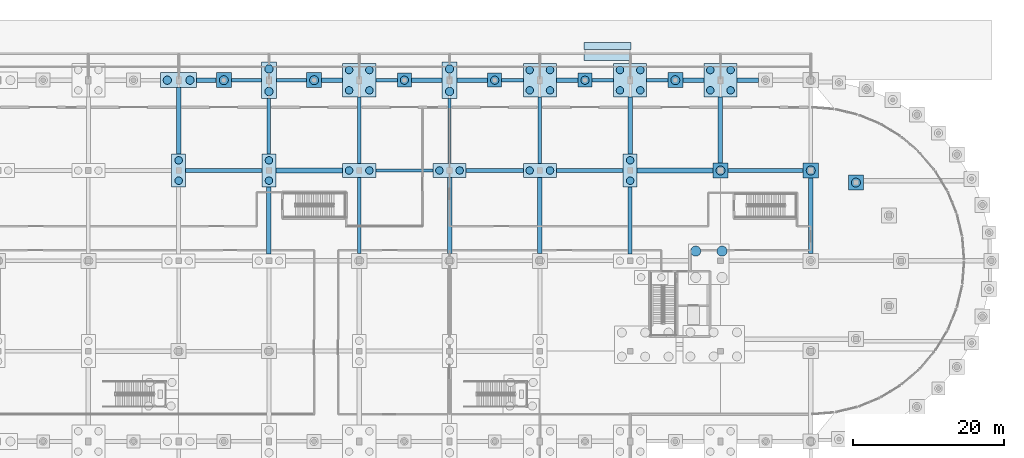
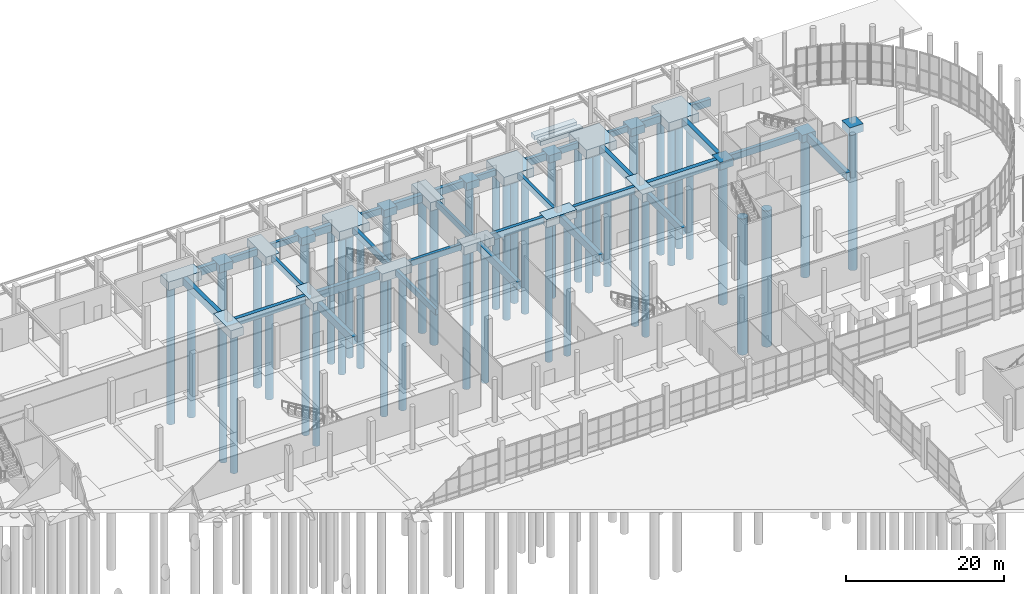
# One storey, part 13 of 117: 57 footings, 45 piles.
"""IFC4 building model written with IfcOpenShell, lengths in metres."""

from ifc_helpers import new_model, si_unit, direction, frame, origin, origin_2d, place, context, subcontext, project, spatial, rectangle, circle, extrude, material, material_profile, profile_set, type_object, element, save


model = new_model("IFC4")

# Units and contexts
model_context = context("Model", 3, precision=1e-05, world=origin(), true_north=direction((0.0, 1.0)))
body_context = subcontext(model_context, "Body", "Model", "MODEL_VIEW")
ifc_project = project(units=[si_unit("LENGTHUNIT", "METRE"), si_unit("AREAUNIT", "SQUARE_METRE"), si_unit("VOLUMEUNIT", "CUBIC_METRE"), si_unit("PLANEANGLEUNIT", "RADIAN"), si_unit("MASSUNIT", "GRAM", prefix="KILO")], contexts=[model_context])

# Site, building, storey
site_placement = place(None, origin())
site = spatial("IfcSite", under=ifc_project, at=site_placement, CompositionType="ELEMENT")
building_placement = place(site_placement, origin())
building = spatial("IfcBuilding", under=site, at=building_placement, Name="Kamomehara Wholesale Market", CompositionType="ELEMENT")
storey_placement = place(building_placement, origin())
storey = spatial("IfcBuildingStorey", under=building, at=storey_placement, Name="L00", CompositionType="ELEMENT", Elevation=0.0)

# Footings
ifc_material_1 = material(Name="Concrete Fc30 (C30/37)", Category="concrete")
footing_type_1 = type_object("IfcFootingType", Name="CAP-1P-1850", PredefinedType="PILE_CAP", material=ifc_material_1)
for number, where, z_axis, x_axis, name in (
    (1, (126.0, 156.0, -1.14990234375), (0.0, 0.0, 1.0), (1.0, 0.0, 0.0), "Pile cap PC-02"),
    (2, (138.0, 156.0, -1.14990234375), (0.0, 0.0, 1.0), (1.0, 0.0, 0.0), "Pile cap PC-02"),
    (3, (150.0, 156.0, -1.14990234375), (0.0, 0.0, 1.0), (1.0, 0.0, 0.0), "Pile cap PC-02"),
):
    element("IfcFooting", number, at=place(storey_placement, frame(where, z_axis=z_axis, x_axis=x_axis)), inside=storey, type_object=footing_type_1, Name=name, PredefinedType="PILE_CAP", context=body_context, shape_type="SweptSolid", body=[
        extrude(rectangle(XDim=1.85009765625, YDim=1.85009765625, at=origin_2d()), origin(), (0.0, 0.0, 1.0), 1.14990234375),
    ])
ifc_material_2 = material(Name="Concrete Fc30 (C30/37)", Category="concrete")
footing_type_2 = type_object("IfcFootingType", Name="CAP-1P-2000", PredefinedType="PILE_CAP", material=ifc_material_2)
for number, where, z_axis, x_axis, name in (
    (4, (102.0, 156.0, -1.2001953125), (0.0, 0.0, 1.0), (1.0, 0.0, 0.0), "Pile cap PC-03"),
    (5, (114.0, 156.0, -1.2001953125), (0.0, 0.0, 1.0), (1.0, 0.0, 0.0), "Pile cap PC-03"),
    (6, (162.0, 156.0, -1.2001953125), (0.0, 0.0, 1.0), (1.0, 0.0, 0.0), "Pile cap PC-03"),
    (7, (168.0, 144.0, -1.2001953125), (0.0, 0.0, 1.0), (1.0, 0.0, 0.0), "Pile cap PC-03"),
    (8, (180.0, 144.0, -1.2001953125), (0.0, 0.0, 1.0), (1.0, 0.0, 0.0), "Pile cap PC-03"),
    (9, (186.0, 142.39208984375, -1.2001953125), (0.0, 0.0, 1.0), (1.0, 0.0, 0.0), "Pile cap PC-03"),
):
    element("IfcFooting", number, at=place(storey_placement, frame(where, z_axis=z_axis, x_axis=x_axis)), inside=storey, type_object=footing_type_2, Name=name, PredefinedType="PILE_CAP", context=body_context, shape_type="SweptSolid", body=[
        extrude(rectangle(XDim=2.0, YDim=2.0, at=origin_2d()), origin(), (0.0, 0.0, 1.0), 1.199951171875),
    ])
ifc_material_3 = material(Name="Concrete Fc30 (C30/37)", Category="concrete")
footing_type_3 = type_object("IfcFootingType", Name="CAP-2PX-4400", PredefinedType="PILE_CAP", material=ifc_material_3)
for number, where, z_axis, x_axis, name in (
    (10, (120.0, 144.0, -1.25), (0.0, 0.0, 1.0), (1.0, 0.0, 0.0), "Pile cap PC-04"),
    (11, (132.0, 144.0, -1.25), (0.0, 0.0, 1.0), (1.0, 0.0, 0.0), "Pile cap PC-04"),
    (12, (144.0, 144.0, -1.25), (0.0, 0.0, 1.0), (1.0, 0.0, 0.0), "Pile cap PC-04"),
):
    element("IfcFooting", number, at=place(storey_placement, frame(where, z_axis=z_axis, x_axis=x_axis)), inside=storey, type_object=footing_type_3, Name=name, PredefinedType="PILE_CAP", context=body_context, shape_type="SweptSolid", body=[
        extrude(rectangle(XDim=4.39990234375, YDim=1.85009765625, at=origin_2d()), origin(), (0.0, 0.0, 1.0), 1.25),
    ])
ifc_material_4 = material(Name="Concrete Fc30 (C30/37)", Category="concrete")
footing_type_4 = type_object("IfcFootingType", Name="CAP-2PX-4800", PredefinedType="PILE_CAP", material=ifc_material_4)
footing_1_placement = place(storey_placement, frame((96.0, 156.0, -1.2998046875), z_axis=(0.0, 0.0, 1.0), x_axis=(1.0, 0.0, 0.0)))
element("IfcFooting", 13, at=footing_1_placement, inside=storey, type_object=footing_type_4, Name="Pile cap PC-06", PredefinedType="PILE_CAP", context=body_context, shape_type="SweptSolid", body=[
    extrude(rectangle(XDim=4.800048828125, YDim=2.0, at=origin_2d()), origin(), (0.0, 0.0, 1.0), 1.300048828125),
])
ifc_material_5 = material(Name="Concrete Fc30 (C30/37)", Category="concrete")
footing_type_5 = type_object("IfcFootingType", Name="CAP-2PY-4400", PredefinedType="PILE_CAP", material=ifc_material_5)
for number, where, z_axis, x_axis, name in (
    (14, (96.0, 144.0, -1.25), (0.0, 0.0, 1.0), (1.0, 0.0, 0.0), "Pile cap PC-05"),
    (15, (108.0, 144.0, -1.25), (0.0, 0.0, 1.0), (1.0, 0.0, 0.0), "Pile cap PC-05"),
    (16, (156.0, 144.0, -1.25), (0.0, 0.0, 1.0), (1.0, 0.0, 0.0), "Pile cap PC-05"),
):
    element("IfcFooting", number, at=place(storey_placement, frame(where, z_axis=z_axis, x_axis=x_axis)), inside=storey, type_object=footing_type_5, Name=name, PredefinedType="PILE_CAP", context=body_context, shape_type="SweptSolid", body=[
        extrude(rectangle(XDim=1.85009765625, YDim=4.39990234375, at=origin_2d()), origin(), (0.0, 0.0, 1.0), 1.25),
    ])
ifc_material_6 = material(Name="Concrete Fc30 (C30/37)", Category="concrete")
footing_type_6 = type_object("IfcFootingType", Name="CAP-2PY-4800", PredefinedType="PILE_CAP", material=ifc_material_6)
for number, where, z_axis, x_axis, name in (
    (17, (108.0, 156.0, -1.2998046875), (0.0, 0.0, 1.0), (1.0, 0.0, 0.0), "Pile cap PC-07"),
    (18, (132.0, 156.0, -1.2998046875), (0.0, 0.0, 1.0), (1.0, 0.0, 0.0), "Pile cap PC-07"),
):
    element("IfcFooting", number, at=place(storey_placement, frame(where, z_axis=z_axis, x_axis=x_axis)), inside=storey, type_object=footing_type_6, Name=name, PredefinedType="PILE_CAP", context=body_context, shape_type="SweptSolid", body=[
        extrude(rectangle(XDim=2.0, YDim=4.800048828125, at=origin_2d()), origin(), (0.0, 0.0, 1.0), 1.300048828125),
    ])
ifc_material_7 = material(Name="Concrete Fc30 (C30/37)", Category="concrete")
footing_type_7 = type_object("IfcFootingType", Name="CAP-4P-4400", PredefinedType="PILE_CAP", material=ifc_material_7)
for number, where, z_axis, x_axis, name in (
    (19, (120.0, 156.0, -1.39990234375), (0.0, 0.0, 1.0), (1.0, 0.0, 0.0), "Pile cap PC-10"),
    (20, (144.0, 156.0, -1.39990234375), (0.0, 0.0, 1.0), (1.0, 0.0, 0.0), "Pile cap PC-10"),
    (21, (156.0, 156.0, -1.39990234375), (0.0, 0.0, 1.0), (1.0, 0.0, 0.0), "Pile cap PC-10"),
    (22, (168.0, 156.0, -1.39990234375), (0.0, 0.0, 1.0), (1.0, 0.0, 0.0), "Pile cap PC-10"),
):
    element("IfcFooting", number, at=place(storey_placement, frame(where, z_axis=z_axis, x_axis=x_axis)), inside=storey, type_object=footing_type_7, Name=name, PredefinedType="PILE_CAP", context=body_context, shape_type="SweptSolid", body=[
        extrude(rectangle(XDim=4.39990234375, YDim=4.39990234375, at=origin_2d()), origin(), (0.0, 0.0, 1.0), 1.39990234375),
    ])
ifc_material_8 = material(Name="Concrete Fc30 (C30/37)", Category="concrete")
ifc_material_profile_1 = material_profile(ifc_material_8, rectangle(XDim=0.449951171875, YDim=0.89990234375, at=origin_2d()), Name="RC-FTB-450x900")
ifc_profile_set_1 = profile_set([ifc_material_profile_1], Name="Concrete Fc30 (C30/37)")
footing_type_8 = type_object("IfcFootingType", Name="FTB-450x900", PredefinedType="FOOTING_BEAM", material=ifc_profile_set_1)
footing_2_placement = place(storey_placement, frame((109.001953125, 156.0, -0.449951171875), z_axis=(1.0, 0.0, 0.0), x_axis=(0.0, 1.0, 0.0)))
element("IfcFooting", 23, at=footing_2_placement, inside=storey, type_object=footing_type_8, Name="Foundation tie beam 115", PredefinedType="FOOTING_BEAM", context=body_context, shape_type="SweptSolid", body=[
    extrude(rectangle(XDim=0.449951171875, YDim=0.89990234375, at=origin_2d()), origin(), (0.0, 0.0, 1.0), 3.99609375),
])
footing_3_placement = place(storey_placement, frame((122.201904296875, 144.0, -0.449951171875), z_axis=(1.0, 0.0, 0.0), x_axis=(0.0, 1.0, 0.0)))
element("IfcFooting", 24, at=footing_3_placement, inside=storey, type_object=footing_type_8, Name="Foundation tie beam 127", PredefinedType="FOOTING_BEAM", context=body_context, shape_type="SweptSolid", body=[
    extrude(rectangle(XDim=0.449951171875, YDim=0.89990234375, at=origin_2d()), origin(), (0.0, 0.0, 1.0), 7.59619140625),
])
for number, where, z_axis, x_axis, name in (
    (25, (138.927001953125, 156.0, -0.449951171875), (1.0, 0.0, 0.0), (0.0, 1.0, 0.0), "Foundation tie beam 143"),
    (26, (150.927001953125, 156.0, -0.449951171875), (1.0, 0.0, 0.0), (0.0, 1.0, 0.0), "Foundation tie beam 155"),
):
    element("IfcFooting", number, at=place(storey_placement, frame(where, z_axis=z_axis, x_axis=x_axis)), inside=storey, type_object=footing_type_8, Name=name, PredefinedType="FOOTING_BEAM", context=body_context, shape_type="SweptSolid", body=[
        extrude(rectangle(XDim=0.449951171875, YDim=0.89990234375, at=origin_2d()), origin(), (0.0, 0.0, 1.0), 2.87109375),
    ])
footing_4_placement = place(storey_placement, frame((158.201904296875, 156.0, -0.449951171875), z_axis=(1.0, 0.0, 0.0), x_axis=(0.0, 1.0, 0.0)))
element("IfcFooting", 27, at=footing_4_placement, inside=storey, type_object=footing_type_8, Name="Foundation tie beam 167", PredefinedType="FOOTING_BEAM", context=body_context, shape_type="SweptSolid", body=[
    extrude(rectangle(XDim=0.449951171875, YDim=0.89990234375, at=origin_2d()), origin(), (0.0, 0.0, 1.0), 2.796142578125),
])
footing_5_placement = place(storey_placement, frame((108.0, 146.201904296875, -0.449951171875), z_axis=(0.0, 1.0, 0.0), x_axis=(-1.0, 0.0, 0.0)))
element("IfcFooting", 28, at=footing_5_placement, inside=storey, type_object=footing_type_8, Name="Foundation tie beam 291", PredefinedType="FOOTING_BEAM", context=body_context, shape_type="SweptSolid", body=[
    extrude(rectangle(XDim=0.449951171875, YDim=0.89990234375, at=origin_2d()), origin(), (0.0, 0.0, 1.0), 7.39599609375),
])
footing_6_placement = place(storey_placement, frame((120.0, 133.001953125, -0.449951171875), z_axis=(0.0, 1.0, 0.0), x_axis=(-1.0, 0.0, 0.0)))
element("IfcFooting", 29, at=footing_6_placement, inside=storey, type_object=footing_type_8, Name="Foundation tie beam 299", PredefinedType="FOOTING_BEAM", context=body_context, shape_type="SweptSolid", body=[
    extrude(rectangle(XDim=0.449951171875, YDim=0.89990234375, at=origin_2d()), origin(), (0.0, 0.0, 1.0), 10.071044921875),
])
footing_7_placement = place(storey_placement, frame((132.0, 144.927001953125, -0.449951171875), z_axis=(0.0, 1.0, 0.0), x_axis=(-1.0, 0.0, 0.0)))
element("IfcFooting", 30, at=footing_7_placement, inside=storey, type_object=footing_type_8, Name="Foundation tie beam 307", PredefinedType="FOOTING_BEAM", context=body_context, shape_type="SweptSolid", body=[
    extrude(rectangle(XDim=0.449951171875, YDim=0.89990234375, at=origin_2d()), origin(), (0.0, 0.0, 1.0), 8.6708984375),
])
footing_8_placement = place(storey_placement, frame((144.0, 144.927001953125, -0.449951171875), z_axis=(0.0, 1.0, 0.0), x_axis=(-1.0, 0.0, 0.0)))
element("IfcFooting", 31, at=footing_8_placement, inside=storey, type_object=footing_type_8, Name="Foundation tie beam 315", PredefinedType="FOOTING_BEAM", context=body_context, shape_type="SweptSolid", body=[
    extrude(rectangle(XDim=0.449951171875, YDim=0.89990234375, at=origin_2d()), origin(), (0.0, 0.0, 1.0), 8.87109375),
])
ifc_material_9 = material(Name="Concrete Fc30 (C30/37)", Category="concrete")
ifc_material_profile_2 = material_profile(ifc_material_9, rectangle(XDim=0.5, YDim=1.0, at=origin_2d()), Name="RC-FTB-500x1000")
ifc_profile_set_2 = profile_set([ifc_material_profile_2], Name="Concrete Fc30 (C30/37)")
footing_type_9 = type_object("IfcFootingType", Name="FTB-500x1000", PredefinedType="FOOTING_BEAM", material=ifc_profile_set_2)
footing_9_placement = place(storey_placement, frame((103.001953125, 156.0, -0.5), z_axis=(1.0, 0.0, 0.0), x_axis=(0.0, 1.0, 0.0)))
element("IfcFooting", 32, at=footing_9_placement, inside=storey, type_object=footing_type_9, Name="Foundation tie beam 104", PredefinedType="FOOTING_BEAM", context=body_context, shape_type="SweptSolid", body=[
    extrude(rectangle(XDim=0.5, YDim=1.0, at=origin_2d()), origin(), (0.0, 0.0, 1.0), 3.99609375),
])
footing_10_placement = place(storey_placement, frame((122.201904296875, 156.0, -0.5), z_axis=(1.0, 0.0, 0.0), x_axis=(0.0, 1.0, 0.0)))
element("IfcFooting", 33, at=footing_10_placement, inside=storey, type_object=footing_type_9, Name="Foundation tie beam 128", PredefinedType="FOOTING_BEAM", context=body_context, shape_type="SweptSolid", body=[
    extrude(rectangle(XDim=0.5, YDim=1.0, at=origin_2d()), origin(), (0.0, 0.0, 1.0), 2.87109375),
])
footing_11_placement = place(storey_placement, frame((134.201904296875, 144.0, -0.5), z_axis=(1.0, 0.0, 0.0), x_axis=(0.0, 1.0, 0.0)))
element("IfcFooting", 34, at=footing_11_placement, inside=storey, type_object=footing_type_9, Name="Foundation tie beam 140", PredefinedType="FOOTING_BEAM", context=body_context, shape_type="SweptSolid", body=[
    extrude(rectangle(XDim=0.5, YDim=1.0, at=origin_2d()), origin(), (0.0, 0.0, 1.0), 7.59619140625),
])
footing_12_placement = place(storey_placement, frame((146.201904296875, 144.0, -0.5), z_axis=(1.0, 0.0, 0.0), x_axis=(0.0, 1.0, 0.0)))
element("IfcFooting", 35, at=footing_12_placement, inside=storey, type_object=footing_type_9, Name="Foundation tie beam 152", PredefinedType="FOOTING_BEAM", context=body_context, shape_type="SweptSolid", body=[
    extrude(rectangle(XDim=0.5, YDim=1.0, at=origin_2d()), origin(), (0.0, 0.0, 1.0), 8.87109375),
])
footing_13_placement = place(storey_placement, frame((169.001953125, 144.0, -0.5), z_axis=(1.0, 0.0, 0.0), x_axis=(0.0, 1.0, 0.0)))
element("IfcFooting", 36, at=footing_13_placement, inside=storey, type_object=footing_type_9, Name="Foundation tie beam 180", PredefinedType="FOOTING_BEAM", context=body_context, shape_type="SweptSolid", body=[
    extrude(rectangle(XDim=0.5, YDim=1.0, at=origin_2d()), origin(), (0.0, 0.0, 1.0), 9.99609375),
])
footing_14_placement = place(storey_placement, frame((120.0, 144.927001953125, -0.5), z_axis=(0.0, 1.0, 0.0), x_axis=(-1.0, 0.0, 0.0)))
element("IfcFooting", 37, at=footing_14_placement, inside=storey, type_object=footing_type_9, Name="Foundation tie beam 300", PredefinedType="FOOTING_BEAM", context=body_context, shape_type="SweptSolid", body=[
    extrude(rectangle(XDim=0.5, YDim=1.0, at=origin_2d()), origin(), (0.0, 0.0, 1.0), 8.87109375),
])
ifc_material_10 = material(Name="Concrete Fc30 (C30/37)", Category="concrete")
ifc_material_profile_3 = material_profile(ifc_material_10, rectangle(XDim=0.550048828125, YDim=1.10009765625, at=origin_2d()), Name="RC-FTB-550x1100")
ifc_profile_set_3 = profile_set([ifc_material_profile_3], Name="Concrete Fc30 (C30/37)")
footing_type_10 = type_object("IfcFootingType", Name="FTB-550x1100", PredefinedType="FOOTING_BEAM", material=ifc_profile_set_3)
footing_15_placement = place(storey_placement, frame((96.927001953125, 144.0, -0.550048828125), z_axis=(1.0, 0.0, 0.0), x_axis=(0.0, 1.0, 0.0)))
element("IfcFooting", 38, at=footing_15_placement, inside=storey, type_object=footing_type_10, Name="Foundation tie beam 101", PredefinedType="FOOTING_BEAM", context=body_context, shape_type="SweptSolid", body=[
    extrude(rectangle(XDim=0.550048828125, YDim=1.10009765625, at=origin_2d()), origin(), (0.0, 0.0, 1.0), 10.14599609375),
])
footing_16_placement = place(storey_placement, frame((115.001953125, 156.0, -0.550048828125), z_axis=(1.0, 0.0, 0.0), x_axis=(0.0, 1.0, 0.0)))
element("IfcFooting", 39, at=footing_16_placement, inside=storey, type_object=footing_type_10, Name="Foundation tie beam 117", PredefinedType="FOOTING_BEAM", context=body_context, shape_type="SweptSolid", body=[
    extrude(rectangle(XDim=0.550048828125, YDim=1.10009765625, at=origin_2d()), origin(), (0.0, 0.0, 1.0), 2.796142578125),
])
footing_17_placement = place(storey_placement, frame((133.001953125, 156.0, -0.550048828125), z_axis=(1.0, 0.0, 0.0), x_axis=(0.0, 1.0, 0.0)))
element("IfcFooting", 40, at=footing_17_placement, inside=storey, type_object=footing_type_10, Name="Foundation tie beam 141", PredefinedType="FOOTING_BEAM", context=body_context, shape_type="SweptSolid", body=[
    extrude(rectangle(XDim=0.550048828125, YDim=1.10009765625, at=origin_2d()), origin(), (0.0, 0.0, 1.0), 4.071044921875),
])
footing_18_placement = place(storey_placement, frame((146.201904296875, 156.0, -0.550048828125), z_axis=(1.0, 0.0, 0.0), x_axis=(0.0, 1.0, 0.0)))
element("IfcFooting", 41, at=footing_18_placement, inside=storey, type_object=footing_type_10, Name="Foundation tie beam 153", PredefinedType="FOOTING_BEAM", context=body_context, shape_type="SweptSolid", body=[
    extrude(rectangle(XDim=0.550048828125, YDim=1.10009765625, at=origin_2d()), origin(), (0.0, 0.0, 1.0), 2.87109375),
])
footing_19_placement = place(storey_placement, frame((163.001953125, 156.0, -0.550048828125), z_axis=(1.0, 0.0, 0.0), x_axis=(0.0, 1.0, 0.0)))
element("IfcFooting", 42, at=footing_19_placement, inside=storey, type_object=footing_type_10, Name="Foundation tie beam 169", PredefinedType="FOOTING_BEAM", context=body_context, shape_type="SweptSolid", body=[
    extrude(rectangle(XDim=0.550048828125, YDim=1.10009765625, at=origin_2d()), origin(), (0.0, 0.0, 1.0), 2.796142578125),
])
footing_20_placement = place(storey_placement, frame((170.201904296875, 156.0, -0.550048828125), z_axis=(1.0, 0.0, 0.0), x_axis=(0.0, 1.0, 0.0)))
element("IfcFooting", 43, at=footing_20_placement, inside=storey, type_object=footing_type_10, Name="Foundation tie beam 181", PredefinedType="FOOTING_BEAM", context=body_context, shape_type="SweptSolid", body=[
    extrude(rectangle(XDim=0.550048828125, YDim=1.10009765625, at=origin_2d()), origin(), (0.0, 0.0, 1.0), 2.87109375),
])
footing_21_placement = place(storey_placement, frame((156.0, 132.927001953125, -0.550048828125), z_axis=(0.0, 1.0, 0.0), x_axis=(-1.0, 0.0, 0.0)))
element("IfcFooting", 44, at=footing_21_placement, inside=storey, type_object=footing_type_10, Name="Foundation tie beam 325", PredefinedType="FOOTING_BEAM", context=body_context, shape_type="SweptSolid", body=[
    extrude(rectangle(XDim=0.550048828125, YDim=1.10009765625, at=origin_2d()), origin(), (0.0, 0.0, 1.0), 8.87109375),
])
ifc_material_11 = material(Name="Concrete Fc30 (C30/37)", Category="concrete")
ifc_material_profile_4 = material_profile(ifc_material_11, rectangle(XDim=0.60009765625, YDim=1.199951171875, at=origin_2d()), Name="RC-FTB-600x1200")
ifc_profile_set_4 = profile_set([ifc_material_profile_4], Name="Concrete Fc30 (C30/37)")
footing_type_11 = type_object("IfcFootingType", Name="FTB-600x1200", PredefinedType="FOOTING_BEAM", material=ifc_profile_set_4)
footing_22_placement = place(storey_placement, frame((98.402099609375, 156.0, -0.60009765625), z_axis=(1.0, 0.0, 0.0), x_axis=(0.0, 1.0, 0.0)))
element("IfcFooting", 45, at=footing_22_placement, inside=storey, type_object=footing_type_11, Name="Foundation tie beam 102", PredefinedType="FOOTING_BEAM", context=body_context, shape_type="SweptSolid", body=[
    extrude(rectangle(XDim=0.60009765625, YDim=1.199951171875, at=origin_2d()), origin(), (0.0, 0.0, 1.0), 2.595947265625),
])
footing_23_placement = place(storey_placement, frame((108.927001953125, 144.0, -0.60009765625), z_axis=(1.0, 0.0, 0.0), x_axis=(0.0, 1.0, 0.0)))
element("IfcFooting", 46, at=footing_23_placement, inside=storey, type_object=footing_type_11, Name="Foundation tie beam 114", PredefinedType="FOOTING_BEAM", context=body_context, shape_type="SweptSolid", body=[
    extrude(rectangle(XDim=0.60009765625, YDim=1.199951171875, at=origin_2d()), origin(), (0.0, 0.0, 1.0), 8.87109375),
])
footing_24_placement = place(storey_placement, frame((126.927001953125, 156.0, -0.60009765625), z_axis=(1.0, 0.0, 0.0), x_axis=(0.0, 1.0, 0.0)))
element("IfcFooting", 47, at=footing_24_placement, inside=storey, type_object=footing_type_11, Name="Foundation tie beam 130", PredefinedType="FOOTING_BEAM", context=body_context, shape_type="SweptSolid", body=[
    extrude(rectangle(XDim=0.60009765625, YDim=1.199951171875, at=origin_2d()), origin(), (0.0, 0.0, 1.0), 4.071044921875),
])
footing_25_placement = place(storey_placement, frame((156.927001953125, 144.0, -0.60009765625), z_axis=(1.0, 0.0, 0.0), x_axis=(0.0, 1.0, 0.0)))
element("IfcFooting", 48, at=footing_25_placement, inside=storey, type_object=footing_type_11, Name="Foundation tie beam 166", PredefinedType="FOOTING_BEAM", context=body_context, shape_type="SweptSolid", body=[
    extrude(rectangle(XDim=0.60009765625, YDim=1.199951171875, at=origin_2d()), origin(), (0.0, 0.0, 1.0), 10.071044921875),
])
footing_26_placement = place(storey_placement, frame((96.0, 146.201904296875, -0.60009765625), z_axis=(0.0, 1.0, 0.0), x_axis=(-1.0, 0.0, 0.0)))
element("IfcFooting", 49, at=footing_26_placement, inside=storey, type_object=footing_type_11, Name="Foundation tie beam 282", PredefinedType="FOOTING_BEAM", context=body_context, shape_type="SweptSolid", body=[
    extrude(rectangle(XDim=0.60009765625, YDim=1.199951171875, at=origin_2d()), origin(), (0.0, 0.0, 1.0), 8.796142578125),
])
footing_27_placement = place(storey_placement, frame((108.0, 132.927001953125, -0.60009765625), z_axis=(0.0, 1.0, 0.0), x_axis=(-1.0, 0.0, 0.0)))
element("IfcFooting", 50, at=footing_27_placement, inside=storey, type_object=footing_type_11, Name="Foundation tie beam 290", PredefinedType="FOOTING_BEAM", context=body_context, shape_type="SweptSolid", body=[
    extrude(rectangle(XDim=0.60009765625, YDim=1.199951171875, at=origin_2d()), origin(), (0.0, 0.0, 1.0), 8.87109375),
])
for number, where, z_axis, x_axis, name in (
    (51, (132.0, 133.001953125, -0.60009765625), (0.0, 1.0, 0.0), (-1.0, 0.0, 0.0), "Foundation tie beam 306"),
    (52, (144.0, 133.001953125, -0.60009765625), (0.0, 1.0, 0.0), (-1.0, 0.0, 0.0), "Foundation tie beam 314"),
):
    element("IfcFooting", number, at=place(storey_placement, frame(where, z_axis=z_axis, x_axis=x_axis)), inside=storey, type_object=footing_type_11, Name=name, PredefinedType="FOOTING_BEAM", context=body_context, shape_type="SweptSolid", body=[
        extrude(rectangle(XDim=0.60009765625, YDim=1.199951171875, at=origin_2d()), origin(), (0.0, 0.0, 1.0), 10.071044921875),
    ])
footing_28_placement = place(storey_placement, frame((156.0, 146.201904296875, -0.60009765625), z_axis=(0.0, 1.0, 0.0), x_axis=(-1.0, 0.0, 0.0)))
element("IfcFooting", 53, at=footing_28_placement, inside=storey, type_object=footing_type_11, Name="Foundation tie beam 326", PredefinedType="FOOTING_BEAM", context=body_context, shape_type="SweptSolid", body=[
    extrude(rectangle(XDim=0.60009765625, YDim=1.199951171875, at=origin_2d()), origin(), (0.0, 0.0, 1.0), 7.59619140625),
])
footing_29_placement = place(storey_placement, frame((168.0, 145.001953125, -0.60009765625), z_axis=(0.0, 1.0, 0.0), x_axis=(-1.0, 0.0, 0.0)))
element("IfcFooting", 54, at=footing_29_placement, inside=storey, type_object=footing_type_11, Name="Foundation tie beam 334", PredefinedType="FOOTING_BEAM", context=body_context, shape_type="SweptSolid", body=[
    extrude(rectangle(XDim=0.60009765625, YDim=1.199951171875, at=origin_2d()), origin(), (0.0, 0.0, 1.0), 8.796142578125),
])
footing_30_placement = place(storey_placement, frame((180.0, 133.001953125, -0.60009765625), z_axis=(0.0, 1.0, 0.0), x_axis=(-1.0, 0.0, 0.0)))
element("IfcFooting", 55, at=footing_30_placement, inside=storey, type_object=footing_type_11, Name="Foundation tie beam 342", PredefinedType="FOOTING_BEAM", context=body_context, shape_type="SweptSolid", body=[
    extrude(rectangle(XDim=0.60009765625, YDim=1.199951171875, at=origin_2d()), origin(), (0.0, 0.0, 1.0), 9.99609375),
])
ifc_material_12 = material(Name="Concrete Fc30 (C30/37)", Category="concrete")
footing_type_12 = type_object("IfcFootingType", Name="PAD-RMP-1800", PredefinedType="PAD_FOOTING", material=ifc_material_12)
for number, where, z_axis, x_axis, name in (
    (56, (153.0, 159.050048828125, -0.89990234375), (0.0, 0.0, 1.0), (1.0, 0.0, 0.0), "Ramp toe footing PR-05.1"),
    (57, (153.0, 160.550048828125, -0.9599609375), (0.0, 0.0, 1.0), (1.0, 0.0, 0.0), "Ramp toe footing PR-05.2"),
):
    element("IfcFooting", number, at=place(storey_placement, frame(where, z_axis=z_axis, x_axis=x_axis)), inside=storey, type_object=footing_type_12, Name=name, PredefinedType="PAD_FOOTING", context=body_context, shape_type="SweptSolid", body=[
        extrude(rectangle(XDim=6.199951171875, YDim=0.89990234375, at=origin_2d()), origin(), (0.0, 0.0, 1.0), 0.699951171875),
    ])

# Piles
ifc_material_13 = material(Name="Concrete Fc30 (C30/37)", Category="concrete")
ifc_material_profile_5 = material_profile(ifc_material_13, circle(Radius=0.5, at=origin_2d()), Name="RC-PILE-D1000")
ifc_profile_set_5 = profile_set([ifc_material_profile_5], Name="Concrete Fc30 (C30/37)")
pile_type_1 = type_object("IfcPileType", Name="PILE-D1000", PredefinedType="BORED", material=ifc_profile_set_5)
for number, where, z_axis, x_axis, name in (
    (58, (96.0, 142.64990234375, -1.14990234375), (0.0, 0.0, -1.0), (1.0, 0.0, 0.0), "Bored pile 114.336"),
    (59, (96.0, 145.35009765625, -1.14990234375), (0.0, 0.0, -1.0), (1.0, 0.0, 0.0), "Bored pile 114.337"),
    (60, (108.0, 142.64990234375, -1.14990234375), (0.0, 0.0, -1.0), (1.0, 0.0, 0.0), "Bored pile 128.371"),
    (61, (108.0, 145.35009765625, -1.14990234375), (0.0, 0.0, -1.0), (1.0, 0.0, 0.0), "Bored pile 128.372"),
    (62, (118.64990234375, 144.0, -1.14990234375), (0.0, 0.0, -1.0), (1.0, 0.0, 0.0), "Bored pile 141.404"),
    (63, (121.35009765625, 144.0, -1.14990234375), (0.0, 0.0, -1.0), (1.0, 0.0, 0.0), "Bored pile 141.405"),
):
    element("IfcPile", number, at=place(storey_placement, frame(where, z_axis=z_axis, x_axis=x_axis)), inside=storey, type_object=pile_type_1, Name=name, PredefinedType="BORED", context=body_context, shape_type="SweptSolid", body=[
        extrude(circle(Radius=0.5, at=origin_2d()), origin(), (0.0, 0.0, 1.0), 21.35009765625),
    ])
for number, where, z_axis, x_axis, name in (
    (64, (118.64990234375, 154.64990234375, -1.300048828125), (0.0, 0.0, -1.0), (1.0, 0.0, 0.0), "Bored pile 142.406"),
    (65, (121.35009765625, 154.64990234375, -1.300048828125), (0.0, 0.0, -1.0), (1.0, 0.0, 0.0), "Bored pile 142.407"),
    (66, (118.64990234375, 157.35009765625, -1.300048828125), (0.0, 0.0, -1.0), (1.0, 0.0, 0.0), "Bored pile 142.408"),
    (67, (121.35009765625, 157.35009765625, -1.300048828125), (0.0, 0.0, -1.0), (1.0, 0.0, 0.0), "Bored pile 142.409"),
):
    element("IfcPile", number, at=place(storey_placement, frame(where, z_axis=z_axis, x_axis=x_axis)), inside=storey, type_object=pile_type_1, Name=name, PredefinedType="BORED", context=body_context, shape_type="SweptSolid", body=[
        extrude(circle(Radius=0.5, at=origin_2d()), origin(), (0.0, 0.0, 1.0), 21.199951171875),
    ])
for number, where, z_axis, x_axis, name in (
    (68, (130.64990234375, 144.0, -1.14990234375), (0.0, 0.0, -1.0), (1.0, 0.0, 0.0), "Bored pile 155.439"),
    (69, (133.35009765625, 144.0, -1.14990234375), (0.0, 0.0, -1.0), (1.0, 0.0, 0.0), "Bored pile 155.440"),
    (70, (142.64990234375, 144.0, -1.14990234375), (0.0, 0.0, -1.0), (1.0, 0.0, 0.0), "Bored pile 170.476"),
    (71, (145.35009765625, 144.0, -1.14990234375), (0.0, 0.0, -1.0), (1.0, 0.0, 0.0), "Bored pile 170.477"),
):
    element("IfcPile", number, at=place(storey_placement, frame(where, z_axis=z_axis, x_axis=x_axis)), inside=storey, type_object=pile_type_1, Name=name, PredefinedType="BORED", context=body_context, shape_type="SweptSolid", body=[
        extrude(circle(Radius=0.5, at=origin_2d()), origin(), (0.0, 0.0, 1.0), 21.35009765625),
    ])
for number, where, z_axis, x_axis, name in (
    (72, (142.64990234375, 154.64990234375, -1.300048828125), (0.0, 0.0, -1.0), (1.0, 0.0, 0.0), "Bored pile 171.478"),
    (73, (145.35009765625, 154.64990234375, -1.300048828125), (0.0, 0.0, -1.0), (1.0, 0.0, 0.0), "Bored pile 171.479"),
    (74, (142.64990234375, 157.35009765625, -1.300048828125), (0.0, 0.0, -1.0), (1.0, 0.0, 0.0), "Bored pile 171.480"),
    (75, (145.35009765625, 157.35009765625, -1.300048828125), (0.0, 0.0, -1.0), (1.0, 0.0, 0.0), "Bored pile 171.481"),
):
    element("IfcPile", number, at=place(storey_placement, frame(where, z_axis=z_axis, x_axis=x_axis)), inside=storey, type_object=pile_type_1, Name=name, PredefinedType="BORED", context=body_context, shape_type="SweptSolid", body=[
        extrude(circle(Radius=0.5, at=origin_2d()), origin(), (0.0, 0.0, 1.0), 21.199951171875),
    ])
for number, where, z_axis, x_axis, name in (
    (76, (156.0, 142.64990234375, -1.14990234375), (0.0, 0.0, -1.0), (1.0, 0.0, 0.0), "Bored pile 185.528"),
    (77, (156.0, 145.35009765625, -1.14990234375), (0.0, 0.0, -1.0), (1.0, 0.0, 0.0), "Bored pile 185.529"),
):
    element("IfcPile", number, at=place(storey_placement, frame(where, z_axis=z_axis, x_axis=x_axis)), inside=storey, type_object=pile_type_1, Name=name, PredefinedType="BORED", context=body_context, shape_type="SweptSolid", body=[
        extrude(circle(Radius=0.5, at=origin_2d()), origin(), (0.0, 0.0, 1.0), 21.35009765625),
    ])
for number, where, z_axis, x_axis, name in (
    (78, (154.64990234375, 154.64990234375, -1.300048828125), (0.0, 0.0, -1.0), (1.0, 0.0, 0.0), "Bored pile 186.530"),
    (79, (157.35009765625, 154.64990234375, -1.300048828125), (0.0, 0.0, -1.0), (1.0, 0.0, 0.0), "Bored pile 186.531"),
    (80, (154.64990234375, 157.35009765625, -1.300048828125), (0.0, 0.0, -1.0), (1.0, 0.0, 0.0), "Bored pile 186.532"),
    (81, (157.35009765625, 157.35009765625, -1.300048828125), (0.0, 0.0, -1.0), (1.0, 0.0, 0.0), "Bored pile 186.533"),
    (82, (166.64990234375, 154.64990234375, -1.300048828125), (0.0, 0.0, -1.0), (1.0, 0.0, 0.0), "Bored pile 201.583"),
    (83, (169.35009765625, 154.64990234375, -1.300048828125), (0.0, 0.0, -1.0), (1.0, 0.0, 0.0), "Bored pile 201.584"),
    (84, (166.64990234375, 157.35009765625, -1.300048828125), (0.0, 0.0, -1.0), (1.0, 0.0, 0.0), "Bored pile 201.585"),
    (85, (169.35009765625, 157.35009765625, -1.300048828125), (0.0, 0.0, -1.0), (1.0, 0.0, 0.0), "Bored pile 201.586"),
):
    element("IfcPile", number, at=place(storey_placement, frame(where, z_axis=z_axis, x_axis=x_axis)), inside=storey, type_object=pile_type_1, Name=name, PredefinedType="BORED", context=body_context, shape_type="SweptSolid", body=[
        extrude(circle(Radius=0.5, at=origin_2d()), origin(), (0.0, 0.0, 1.0), 21.199951171875),
    ])
ifc_material_14 = material(Name="Concrete Fc30 (C30/37)", Category="concrete")
ifc_material_profile_6 = material_profile(ifc_material_14, circle(Radius=0.550048828125, at=origin_2d()), Name="RC-PILE-D1100")
ifc_profile_set_6 = profile_set([ifc_material_profile_6], Name="Concrete Fc30 (C30/37)")
pile_type_2 = type_object("IfcPileType", Name="PILE-D1100", PredefinedType="BORED", material=ifc_profile_set_6)
for number, where, z_axis, x_axis, name in (
    (86, (94.5, 156.0, -1.199951171875), (0.0, 0.0, -1.0), (1.0, 0.0, 0.0), "Bored pile 115.338"),
    (87, (97.5, 156.0, -1.199951171875), (0.0, 0.0, -1.0), (1.0, 0.0, 0.0), "Bored pile 115.339"),
    (88, (108.0, 154.5, -1.199951171875), (0.0, 0.0, -1.0), (1.0, 0.0, 0.0), "Bored pile 129.373"),
    (89, (108.0, 157.5, -1.199951171875), (0.0, 0.0, -1.0), (1.0, 0.0, 0.0), "Bored pile 129.374"),
):
    element("IfcPile", number, at=place(storey_placement, frame(where, z_axis=z_axis, x_axis=x_axis)), inside=storey, type_object=pile_type_2, Name=name, PredefinedType="BORED", context=body_context, shape_type="SweptSolid", body=[
        extrude(circle(Radius=0.550048828125, at=origin_2d()), origin(), (0.0, 0.0, 1.0), 21.300048828125),
    ])
pile_placement = place(storey_placement, frame((126.0, 156.0, -1.050048828125), z_axis=(0.0, 0.0, -1.0), x_axis=(1.0, 0.0, 0.0)))
element("IfcPile", 90, at=pile_placement, inside=storey, type_object=pile_type_2, Name="Bored pile 144.411", PredefinedType="BORED", context=body_context, shape_type="SweptSolid", body=[
    extrude(circle(Radius=0.550048828125, at=origin_2d()), origin(), (0.0, 0.0, 1.0), 21.449951171875),
])
for number, where, z_axis, x_axis, name in (
    (91, (132.0, 154.5, -1.199951171875), (0.0, 0.0, -1.0), (1.0, 0.0, 0.0), "Bored pile 156.441"),
    (92, (132.0, 157.5, -1.199951171875), (0.0, 0.0, -1.0), (1.0, 0.0, 0.0), "Bored pile 156.442"),
):
    element("IfcPile", number, at=place(storey_placement, frame(where, z_axis=z_axis, x_axis=x_axis)), inside=storey, type_object=pile_type_2, Name=name, PredefinedType="BORED", context=body_context, shape_type="SweptSolid", body=[
        extrude(circle(Radius=0.550048828125, at=origin_2d()), origin(), (0.0, 0.0, 1.0), 21.300048828125),
    ])
for number, where, z_axis, x_axis, name in (
    (93, (138.0, 156.0, -1.050048828125), (0.0, 0.0, -1.0), (1.0, 0.0, 0.0), "Bored pile 158.444"),
    (94, (150.0, 156.0, -1.050048828125), (0.0, 0.0, -1.0), (1.0, 0.0, 0.0), "Bored pile 173.483"),
):
    element("IfcPile", number, at=place(storey_placement, frame(where, z_axis=z_axis, x_axis=x_axis)), inside=storey, type_object=pile_type_2, Name=name, PredefinedType="BORED", context=body_context, shape_type="SweptSolid", body=[
        extrude(circle(Radius=0.550048828125, at=origin_2d()), origin(), (0.0, 0.0, 1.0), 21.449951171875),
    ])
ifc_material_15 = material(Name="Concrete Fc30 (C30/37)", Category="concrete")
ifc_material_profile_7 = material_profile(ifc_material_15, circle(Radius=0.60009765625, at=origin_2d()), Name="RC-PILE-D1200")
ifc_profile_set_7 = profile_set([ifc_material_profile_7], Name="Concrete Fc30 (C30/37)")
pile_type_3 = type_object("IfcPileType", Name="PILE-D1200", PredefinedType="BORED", material=ifc_profile_set_7)
for number, where, z_axis, x_axis, name in (
    (95, (102.0, 156.0, -1.10009765625), (0.0, 0.0, -1.0), (1.0, 0.0, 0.0), "Bored pile 117.341"),
    (96, (114.0, 156.0, -1.10009765625), (0.0, 0.0, -1.0), (1.0, 0.0, 0.0), "Bored pile 131.376"),
    (97, (162.0, 156.0, -1.10009765625), (0.0, 0.0, -1.0), (1.0, 0.0, 0.0), "Bored pile 188.535"),
    (98, (168.0, 144.0, -1.10009765625), (0.0, 0.0, -1.0), (1.0, 0.0, 0.0), "Bored pile 200.582"),
    (99, (180.0, 144.0, -1.10009765625), (0.0, 0.0, -1.0), (1.0, 0.0, 0.0), "Bored pile 216.622"),
    (100, (186.0, 142.39208984375, -1.10009765625), (0.0, 0.0, -1.0), (1.0, 0.0, 0.0), "Bored pile 225.641"),
):
    element("IfcPile", number, at=place(storey_placement, frame(where, z_axis=z_axis, x_axis=x_axis)), inside=storey, type_object=pile_type_3, Name=name, PredefinedType="BORED", context=body_context, shape_type="SweptSolid", body=[
        extrude(circle(Radius=0.60009765625, at=origin_2d()), origin(), (0.0, 0.0, 1.0), 21.39990234375),
    ])
ifc_material_16 = material(Name="Concrete Fc30 (C30/37)", Category="concrete")
ifc_material_profile_8 = material_profile(ifc_material_16, circle(Radius=0.675048828125, at=origin_2d()), Name="RC-PILE-D1350")
ifc_profile_set_8 = profile_set([ifc_material_profile_8], Name="Concrete Fc30 (C30/37)")
pile_type_4 = type_object("IfcPileType", Name="PILE-D1350", PredefinedType="BORED", material=ifc_profile_set_8)
for number, where, z_axis, x_axis, name in (
    (101, (164.712890625, 133.287109375, -1.5), (0.0, 0.0, -1.0), (1.0, 0.0, 0.0), "Bored pile 199.580"),
    (102, (168.212890625, 133.287109375, -1.5), (0.0, 0.0, -1.0), (1.0, 0.0, 0.0), "Bored pile 199.581"),
):
    element("IfcPile", number, at=place(storey_placement, frame(where, z_axis=z_axis, x_axis=x_axis)), inside=storey, type_object=pile_type_4, Name=name, PredefinedType="BORED", context=body_context, shape_type="SweptSolid", body=[
        extrude(circle(Radius=0.675048828125, at=origin_2d()), origin(), (0.0, 0.0, 1.0), 21.0),
    ])

save(model, "model.ifc")
